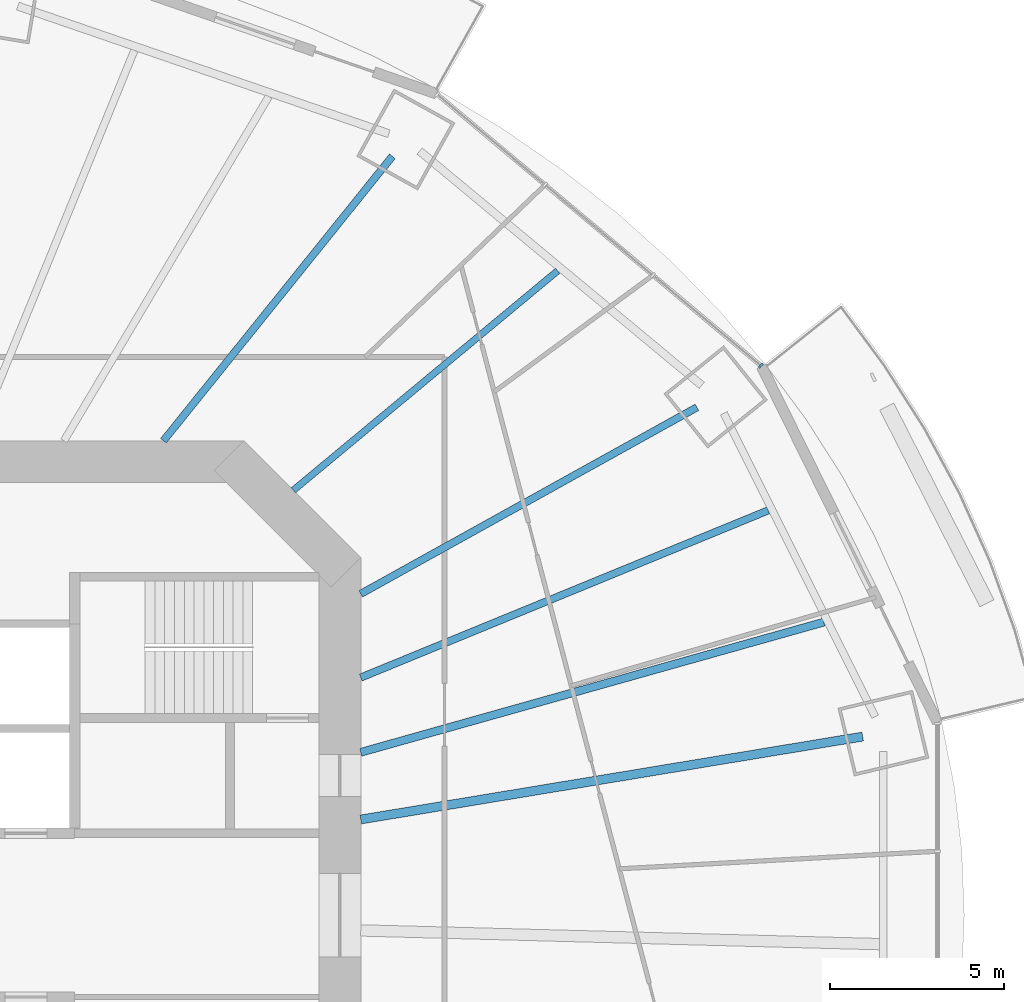
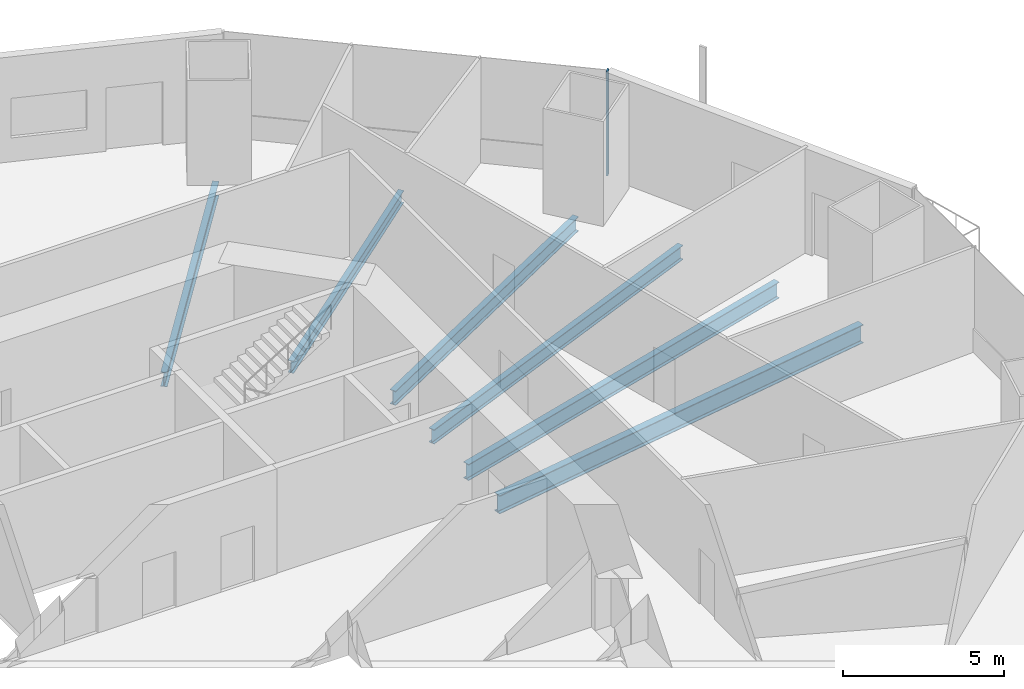
# One storey, part 8 of 21: 6 beams, 1 member, 1 element without a shape of its own.
"""IFC4 building model written with IfcOpenShell, lengths in metres."""

from ifc_helpers import new_model, si_unit, direction, frame, origin, origin_2d, place, context, subcontext, project, spatial, rectangle, i_section, extrude, material, material_profile, profile_set, type_object, element, aggregate, save


model = new_model("IFC4")

# Units and contexts
model_context = context("Model", 3, precision=1e-05, world=origin(), true_north=direction((0.0, 1.0)))
body_context = subcontext(model_context, "Body", "Model", "MODEL_VIEW")
ifc_project = project(units=[si_unit("LENGTHUNIT", "METRE"), si_unit("AREAUNIT", "SQUARE_METRE"), si_unit("VOLUMEUNIT", "CUBIC_METRE"), si_unit("PLANEANGLEUNIT", "RADIAN"), si_unit("MASSUNIT", "GRAM", prefix="KILO")], contexts=[model_context])

# Site, building, storey
site_placement = place(None, origin())
site = spatial("IfcSite", under=ifc_project, at=site_placement, CompositionType="ELEMENT")
building_placement = place(site_placement, origin())
building = spatial("IfcBuilding", under=site, at=building_placement, Name="Marenthal Gate Tower", CompositionType="ELEMENT")
storey_placement = place(building_placement, frame((0.0, 0.0, 124.300048828125)))
storey = spatial("IfcBuildingStorey", under=building, at=storey_placement, Name="L26", CompositionType="ELEMENT", Elevation=124.300048828125)

# Curtain wall, member
ifc_material_1 = material(Name="Aluminium and glass", Category="aluminium")
curtain_wall_type = type_object("IfcCurtainWallType", Name="Curtain wall typical low", PredefinedType="NOTDEFINED", material=ifc_material_1)
curtain_wall_placement = place(storey_placement, origin())
curtain_wall = element("IfcCurtainWall", 1, at=curtain_wall_placement, inside=storey, type_object=curtain_wall_type, Name="Curtain wall L26 bay 2", PredefinedType="NOTDEFINED")
ifc_material_2 = material(Name="Aluminium", Category="aluminium")
ifc_material_profile_1 = material_profile(ifc_material_2, rectangle(XDim=0.159912109375, YDim=0.06005859375, at=origin_2d()), Name="60x160 aluminium mullion")
ifc_profile_set_1 = profile_set([ifc_material_profile_1], Name="Aluminium")
member_type = type_object("IfcMemberType", Name="Mullion 60x160 typical low", PredefinedType="MULLION", material=ifc_profile_set_1)
member_placement = place(storey_placement, frame((28.0673828125, 15.754150390625, 0.0), z_axis=(0.0, 0.0, 1.0), x_axis=(-0.642437868504, -0.766337774817, 0.0)))
member = element("IfcMember", 2, at=member_placement, type_object=member_type, Name="Mullion L26 bay 2.1", PredefinedType="MULLION", context=body_context, shape_type="SweptSolid", body=[
    extrude(rectangle(XDim=0.159912109375, YDim=0.06005859375, at=origin_2d()), origin(), (0.0, 0.0, 1.0), 3.969970703125),
])
aggregate(curtain_wall, [member])

# Beams
ifc_material_3 = material(Name="Steel S355", Category="steel")
ifc_material_profile_2 = material_profile(ifc_material_3, i_section(OverallWidth=0.193115234375, OverallDepth=0.467041015625, WebThickness=0.011474609375, FlangeThickness=0.01904296875, FilletRadius=0.010009765625, at=origin_2d()), Name="W460X97")
ifc_profile_set_2 = profile_set([ifc_material_profile_2], Name="Steel S355")
beam_type_1 = type_object("IfcBeamType", Name="W460X97 beam", PredefinedType="BEAM", material=ifc_profile_set_2)
beam_1_placement = place(storey_placement, frame((22.244384765625, 18.4716796875, -0.41357421875), z_axis=(-0.7693296468, -0.638852013031, 0.0), x_axis=(0.638852013031, -0.7693296468, 0.0)))
element("IfcBeam", 3, at=beam_1_placement, inside=storey, type_object=beam_type_1, Name="BM-L26-19", PredefinedType="BEAM", context=body_context, shape_type="SweptSolid", body=[
    extrude(i_section(OverallWidth=0.193115234375, OverallDepth=0.467041015625, WebThickness=0.011474609375, FlangeThickness=0.01904296875, FilletRadius=0.010009765625, at=origin_2d()), origin(), (0.0, 0.0, 1.0), 9.84765625),
])
ifc_material_4 = material(Name="Steel S355", Category="steel")
ifc_material_profile_3 = material_profile(ifc_material_4, i_section(OverallWidth=0.2119140625, OverallDepth=0.5439453125, WebThickness=0.01318359375, FlangeThickness=0.021240234375, FilletRadius=0.0126953125, at=origin_2d()), Name="W530X123")
ifc_profile_set_3 = profile_set([ifc_material_profile_3], Name="Steel S355")
beam_type_2 = type_object("IfcBeamType", Name="W530X123 beam", PredefinedType="BEAM", material=ifc_profile_set_3)
beam_2_placement = place(storey_placement, frame((26.23779296875, 14.55810546875, -0.4521484375), z_axis=(-0.874421492378, -0.485167036872, 0.0), x_axis=(0.485167036872, -0.874421492378, 0.0)))
element("IfcBeam", 4, at=beam_2_placement, inside=storey, type_object=beam_type_2, Name="BM-L26-02", PredefinedType="BEAM", context=body_context, shape_type="SweptSolid", body=[
    extrude(i_section(OverallWidth=0.2119140625, OverallDepth=0.5439453125, WebThickness=0.01318359375, FlangeThickness=0.021240234375, FilletRadius=0.0126953125, at=origin_2d()), origin(), (0.0, 0.0, 1.0), 11.021728515625),
])
beam_3_placement = place(storey_placement, frame((17.505126953125, 21.755126953125, -0.4521484375), z_axis=(-0.626891327439, -0.779106708726, 0.0), x_axis=(0.779106708726, -0.626891327439, 0.0)))
element("IfcBeam", 5, at=beam_3_placement, inside=storey, type_object=beam_type_2, Name="BM-L26-03", PredefinedType="BEAM", context=body_context, shape_type="SweptSolid", body=[
    extrude(i_section(OverallWidth=0.2119140625, OverallDepth=0.5439453125, WebThickness=0.01318359375, FlangeThickness=0.021240234375, FilletRadius=0.0126953125, at=origin_2d()), origin(), (0.0, 0.0, 1.0), 10.467041015625),
])
beam_4_placement = place(storey_placement, frame((28.281005859375, 11.603515625, -0.4521484375), z_axis=(-0.925153122317, -0.379594125702, 0.0), x_axis=(0.379594125702, -0.925153122317, 0.0)))
element("IfcBeam", 6, at=beam_4_placement, inside=storey, type_object=beam_type_2, Name="BM-L26-18", PredefinedType="BEAM", context=body_context, shape_type="SweptSolid", body=[
    extrude(i_section(OverallWidth=0.2119140625, OverallDepth=0.5439453125, WebThickness=0.01318359375, FlangeThickness=0.021240234375, FilletRadius=0.0126953125, at=origin_2d()), origin(), (0.0, 0.0, 1.0), 12.6259765625),
])
ifc_material_5 = material(Name="Steel S355", Category="steel")
ifc_material_profile_4 = material_profile(ifc_material_5, i_section(OverallWidth=0.22900390625, OverallDepth=0.612060546875, WebThickness=0.011962890625, FlangeThickness=0.01953125, FilletRadius=0.0126953125, at=origin_2d()), Name="W610X125")
ifc_profile_set_4 = profile_set([ifc_material_profile_4], Name="Steel S355")
beam_type_3 = type_object("IfcBeamType", Name="W610X125 beam", PredefinedType="BEAM", material=ifc_profile_set_4)
beam_5_placement = place(storey_placement, frame((29.87841796875, 8.401123046875, -0.486083984375), z_axis=(-0.962667661215, -0.270686117213, 0.0), x_axis=(0.270686117213, -0.962667661215, 0.0)))
element("IfcBeam", 7, at=beam_5_placement, inside=storey, type_object=beam_type_3, Name="BM-L26-17", PredefinedType="BEAM", context=body_context, shape_type="SweptSolid", body=[
    extrude(i_section(OverallWidth=0.22900390625, OverallDepth=0.612060546875, WebThickness=0.011962890625, FlangeThickness=0.01953125, FilletRadius=0.0126953125, at=origin_2d()), origin(), (0.0, 0.0, 1.0), 13.793212890625),
])
ifc_material_6 = material(Name="Steel S355", Category="steel")
ifc_material_profile_5 = material_profile(ifc_material_6, i_section(OverallWidth=0.257080078125, OverallDepth=0.693115234375, WebThickness=0.014404296875, FlangeThickness=0.023681640625, FilletRadius=0.015380859375, at=origin_2d()), Name="W690X170")
ifc_profile_set_5 = profile_set([ifc_material_profile_5], Name="Steel S355")
beam_type_4 = type_object("IfcBeamType", Name="W690X170 beam", PredefinedType="BEAM", material=ifc_profile_set_5)
beam_6_placement = place(storey_placement, frame((30.990478515625, 5.118896484375, -0.526611328125), z_axis=(-0.986631300462, -0.162968331122, 0.0), x_axis=(0.162968331122, -0.986631300462, 0.0)))
element("IfcBeam", 8, at=beam_6_placement, inside=storey, type_object=beam_type_4, Name="BM-L26-01", PredefinedType="BEAM", context=body_context, shape_type="SweptSolid", body=[
    extrude(i_section(OverallWidth=0.257080078125, OverallDepth=0.693115234375, WebThickness=0.014404296875, FlangeThickness=0.023681640625, FilletRadius=0.015380859375, at=origin_2d()), origin(), (0.0, 0.0, 1.0), 14.58544921875),
])

save(model, "model.ifc")
